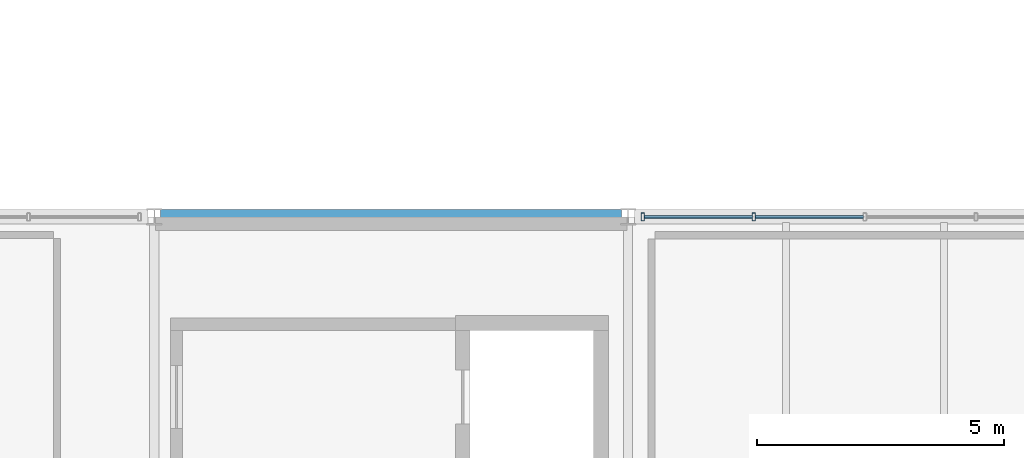
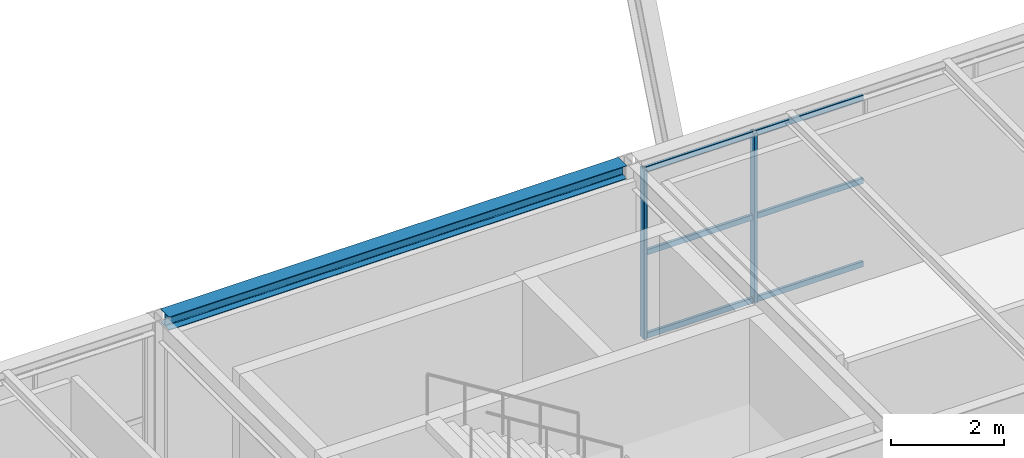
# One storey, part 31 of 126: 8 members, 1 beam, 1 element without a shape of its own.
"""IFC4 building model written with IfcOpenShell, lengths in metres."""

from ifc_helpers import new_model, si_unit, direction, frame, origin, origin_2d, place, context, subcontext, project, spatial, hollow_rectangle, i_section, extrude, material, material_profile, profile_set, type_object, element, aggregate, save


model = new_model("IFC4")

# Units and contexts
model_context = context("Model", 3, precision=1e-05, world=origin(), true_north=direction((0.0, 1.0)))
body_context = subcontext(model_context, "Body", "Model", "MODEL_VIEW")
ifc_project = project(units=[si_unit("LENGTHUNIT", "METRE"), si_unit("AREAUNIT", "SQUARE_METRE"), si_unit("VOLUMEUNIT", "CUBIC_METRE"), si_unit("PLANEANGLEUNIT", "RADIAN"), si_unit("MASSUNIT", "GRAM", prefix="KILO")], contexts=[model_context])

# Site, building, storey
site_placement = place(None, origin())
site = spatial("IfcSite", under=ifc_project, at=site_placement, CompositionType="ELEMENT")
building_placement = place(site_placement, origin())
building = spatial("IfcBuilding", under=site, at=building_placement, Name="Coralgate Yard Interchange", CompositionType="ELEMENT")
storey_placement = place(building_placement, frame((0.0, 0.0, 10.5)))
storey = spatial("IfcBuildingStorey", under=building, at=storey_placement, Name="L02", CompositionType="ELEMENT", Elevation=10.5)

# Beam
ifc_material_1 = material(Name="Structural steel S355J2", Category="steel")
ifc_material_profile_1 = material_profile(ifc_material_1, i_section(OverallWidth=0.300048828125, OverallDepth=0.2900390625, WebThickness=0.008544921875, FlangeThickness=0.013916015625, FilletRadius=0.027099609375, at=origin_2d()), Name="HEA 300")
ifc_profile_set_1 = profile_set([ifc_material_profile_1], Name="Structural steel S355J2")
beam_type = type_object("IfcBeamType", Name="BM-SP-2", PredefinedType="SPANDREL", material=ifc_profile_set_1)
beam_placement = place(storey_placement, frame((48.127197265625, 19.199951171875, 3.804931640625), z_axis=(1.0, 0.0, 0.0), x_axis=(0.0, 1.0, 0.0)))
element("IfcBeam", 1, at=beam_placement, inside=storey, type_object=beam_type, Name="L02 primary grid beam Y2 X5-6", PredefinedType="SPANDREL", context=body_context, shape_type="SweptSolid", body=[
    extrude(i_section(OverallWidth=0.300048828125, OverallDepth=0.2900390625, WebThickness=0.008544921875, FlangeThickness=0.013916015625, FilletRadius=0.027099609375, at=origin_2d()), origin(), (0.0, 0.0, 1.0), 9.345458984375),
])

# Curtain wall, members
ifc_material_2 = material(Name="Anodised coastal aluminium and solar-control low-E glass", Category="aluminium")
curtain_wall_type = type_object("IfcCurtainWallType", Name="CW-CW-L02-A", PredefinedType="NOTDEFINED", material=ifc_material_2)
curtain_wall_placement = place(storey_placement, origin())
curtain_wall = element("IfcCurtainWall", 2, at=curtain_wall_placement, inside=storey, type_object=curtain_wall_type, Name="L02 unitised curtain wall CW-L02-N-06-01", PredefinedType="NOTDEFINED")
ifc_material_3 = material(Name="Anodised coastal aluminium 6063-T6", Category="aluminium")
ifc_material_profile_2 = material_profile(ifc_material_3, hollow_rectangle(XDim=0.06494140625, YDim=0.159912109375, WallThickness=0.00390625, InnerFilletRadius=0.00390625, OuterFilletRadius=0.008056640625, at=origin_2d()), Name="ALU 65x160x4")
ifc_profile_set_2 = profile_set([ifc_material_profile_2], Name="Anodised coastal aluminium 6063-T6")
member_type_1 = type_object("IfcMemberType", Name="MB-MUL-160", PredefinedType="MULLION", material=ifc_profile_set_2)
member_1_placement = place(storey_placement, frame((57.89990234375, 19.199951171875, 0.0), z_axis=(0.0, 0.0, 1.0), x_axis=(1.0, 0.0, 0.0)))
member_1 = element("IfcMember", 3, at=member_1_placement, type_object=member_type_1, Name="CW-L02-N-06-01 vertical mullion 1", PredefinedType="MULLION", context=body_context, shape_type="SweptSolid", body=[
    extrude(hollow_rectangle(XDim=0.06494140625, YDim=0.159912109375, WallThickness=0.00390625, InnerFilletRadius=0.00390625, OuterFilletRadius=0.008056640625, at=origin_2d()), origin(), (0.0, 0.0, 1.0), 3.659912109375),
])
member_2_placement = place(storey_placement, frame((60.14990234375, 19.199951171875, 0.0), z_axis=(0.0, 0.0, 1.0), x_axis=(1.0, 0.0, 0.0)))
member_2 = element("IfcMember", 4, at=member_2_placement, type_object=member_type_1, Name="CW-L02-N-06-01 vertical mullion 2", PredefinedType="MULLION", context=body_context, shape_type="SweptSolid", body=[
    extrude(hollow_rectangle(XDim=0.06494140625, YDim=0.159912109375, WallThickness=0.00390625, InnerFilletRadius=0.00390625, OuterFilletRadius=0.008056640625, at=origin_2d()), origin(), (0.0, 0.0, 1.0), 3.659912109375),
])
ifc_material_profile_3 = material_profile(ifc_material_3, hollow_rectangle(XDim=0.06005859375, YDim=0.1201171875, WallThickness=0.00341796875, InnerFilletRadius=0.00341796875, OuterFilletRadius=0.007080078125, at=origin_2d()), Name="ALU 60x120x3.5")
ifc_profile_set_3 = profile_set([ifc_material_profile_3], Name="Anodised coastal aluminium 6063-T6")
member_type_2 = type_object("IfcMemberType", Name="MB-TRN-120", PredefinedType="USERDEFINED", material=ifc_profile_set_3)
member_3_placement = place(storey_placement, frame((57.929931640625, 19.199951171875, 0.034912109375), z_axis=(1.0, 0.0, 0.0), x_axis=(0.0, 1.0, 0.0)))
member_3 = element("IfcMember", 5, at=member_3_placement, type_object=member_type_2, Name="CW-L02-N-06-01 horizontal transom 1-1", ObjectType="TRANSOM", PredefinedType="USERDEFINED", context=body_context, shape_type="SweptSolid", body=[
    extrude(hollow_rectangle(XDim=0.06005859375, YDim=0.1201171875, WallThickness=0.00341796875, InnerFilletRadius=0.00341796875, OuterFilletRadius=0.007080078125, at=origin_2d()), origin(), (0.0, 0.0, 1.0), 2.190185546875),
])
member_4_placement = place(storey_placement, frame((57.929931640625, 19.199951171875, 1.830078125), z_axis=(1.0, 0.0, 0.0), x_axis=(0.0, 1.0, 0.0)))
member_4 = element("IfcMember", 6, at=member_4_placement, type_object=member_type_2, Name="CW-L02-N-06-01 horizontal transom 1-2", ObjectType="TRANSOM", PredefinedType="USERDEFINED", context=body_context, shape_type="SweptSolid", body=[
    extrude(hollow_rectangle(XDim=0.06005859375, YDim=0.1201171875, WallThickness=0.00341796875, InnerFilletRadius=0.00341796875, OuterFilletRadius=0.007080078125, at=origin_2d()), origin(), (0.0, 0.0, 1.0), 2.190185546875),
])
member_5_placement = place(storey_placement, frame((57.929931640625, 19.199951171875, 3.625), z_axis=(1.0, 0.0, 0.0), x_axis=(0.0, 1.0, 0.0)))
member_5 = element("IfcMember", 7, at=member_5_placement, type_object=member_type_2, Name="CW-L02-N-06-01 horizontal transom 1-3", ObjectType="TRANSOM", PredefinedType="USERDEFINED", context=body_context, shape_type="SweptSolid", body=[
    extrude(hollow_rectangle(XDim=0.06005859375, YDim=0.1201171875, WallThickness=0.00341796875, InnerFilletRadius=0.00341796875, OuterFilletRadius=0.007080078125, at=origin_2d()), origin(), (0.0, 0.0, 1.0), 2.190185546875),
])
member_6_placement = place(storey_placement, frame((60.179931640625, 19.199951171875, 0.034912109375), z_axis=(1.0, 0.0, 0.0), x_axis=(0.0, 1.0, 0.0)))
member_6 = element("IfcMember", 8, at=member_6_placement, type_object=member_type_2, Name="CW-L02-N-06-01 horizontal transom 2-1", ObjectType="TRANSOM", PredefinedType="USERDEFINED", context=body_context, shape_type="SweptSolid", body=[
    extrude(hollow_rectangle(XDim=0.06005859375, YDim=0.1201171875, WallThickness=0.00341796875, InnerFilletRadius=0.00341796875, OuterFilletRadius=0.007080078125, at=origin_2d()), origin(), (0.0, 0.0, 1.0), 2.190185546875),
])
member_7_placement = place(storey_placement, frame((60.179931640625, 19.199951171875, 1.830078125), z_axis=(1.0, 0.0, 0.0), x_axis=(0.0, 1.0, 0.0)))
member_7 = element("IfcMember", 9, at=member_7_placement, type_object=member_type_2, Name="CW-L02-N-06-01 horizontal transom 2-2", ObjectType="TRANSOM", PredefinedType="USERDEFINED", context=body_context, shape_type="SweptSolid", body=[
    extrude(hollow_rectangle(XDim=0.06005859375, YDim=0.1201171875, WallThickness=0.00341796875, InnerFilletRadius=0.00341796875, OuterFilletRadius=0.007080078125, at=origin_2d()), origin(), (0.0, 0.0, 1.0), 2.190185546875),
])
member_8_placement = place(storey_placement, frame((60.179931640625, 19.199951171875, 3.625), z_axis=(1.0, 0.0, 0.0), x_axis=(0.0, 1.0, 0.0)))
member_8 = element("IfcMember", 10, at=member_8_placement, type_object=member_type_2, Name="CW-L02-N-06-01 horizontal transom 2-3", ObjectType="TRANSOM", PredefinedType="USERDEFINED", context=body_context, shape_type="SweptSolid", body=[
    extrude(hollow_rectangle(XDim=0.06005859375, YDim=0.1201171875, WallThickness=0.00341796875, InnerFilletRadius=0.00341796875, OuterFilletRadius=0.007080078125, at=origin_2d()), origin(), (0.0, 0.0, 1.0), 2.190185546875),
])
aggregate(curtain_wall, [member_1, member_2, member_3, member_4, member_5, member_6, member_7, member_8])

save(model, "model.ifc")
